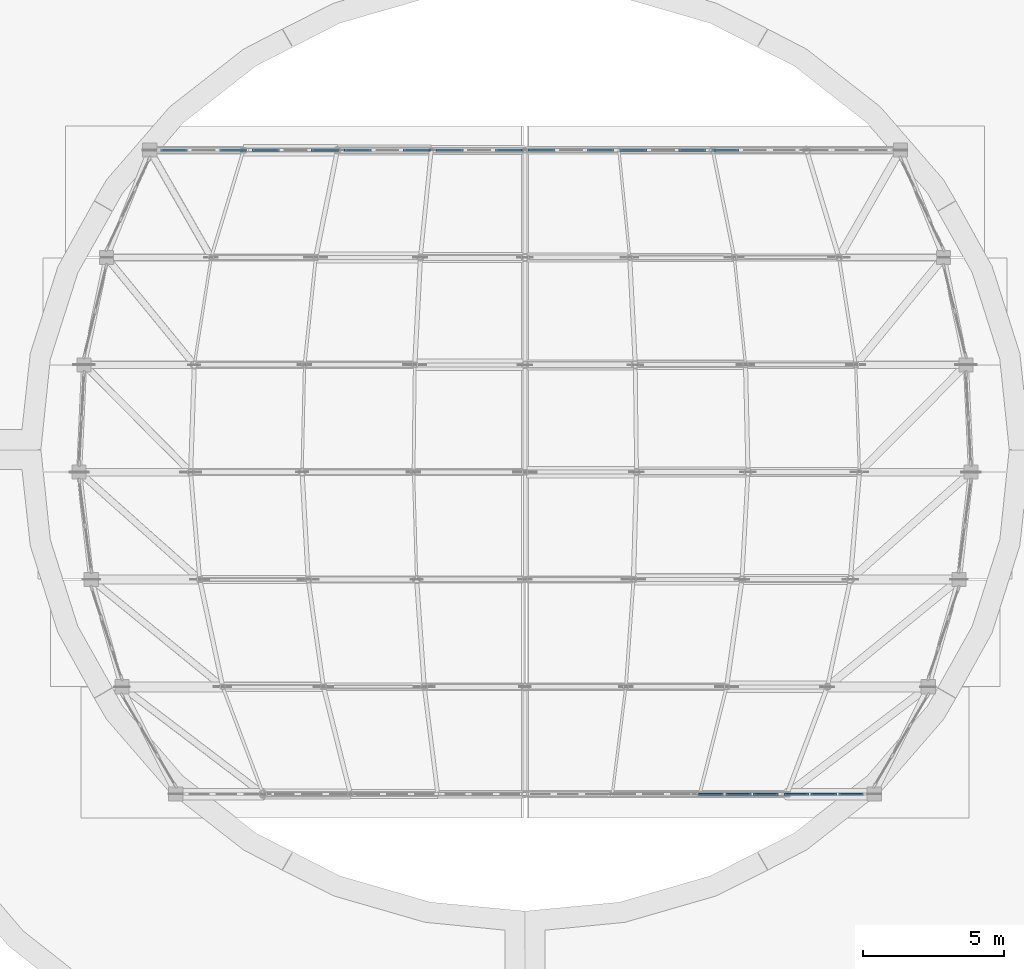
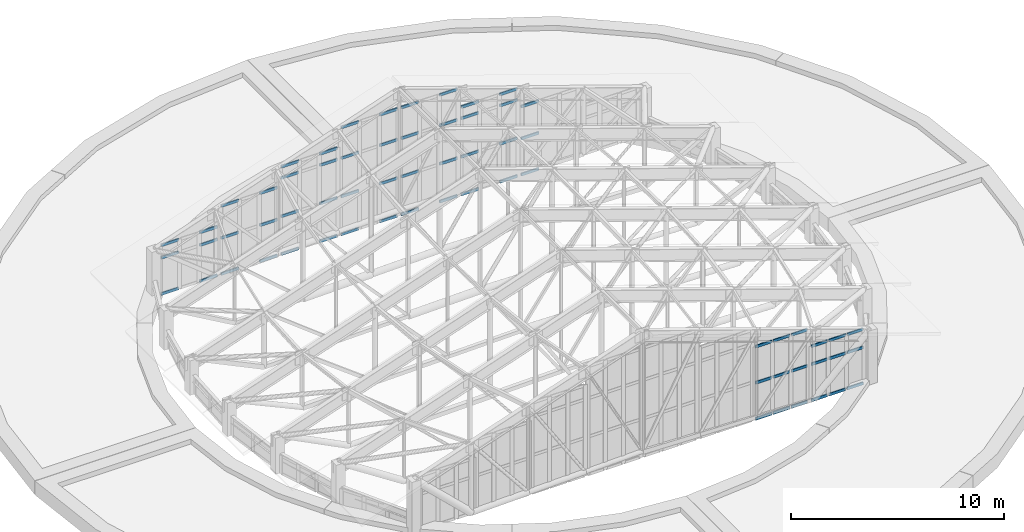
# One storey, part 53 of 105: 65 members, 9 elements without a shape of their own.
"""IFC4 building model written with IfcOpenShell, lengths in metres."""

from ifc_helpers import new_model, si_unit, direction, frame, origin, origin_2d, place, context, subcontext, project, spatial, rectangle, extrude, material, material_profile, profile_set, type_object, element, aggregate, save


model = new_model("IFC4")

# Units and contexts
model_context = context("Model", 3, precision=1e-05, world=origin(), true_north=direction((0.0, 1.0)))
body_context = subcontext(model_context, "Body", "Model", "MODEL_VIEW")
ifc_project = project(units=[si_unit("LENGTHUNIT", "METRE"), si_unit("AREAUNIT", "SQUARE_METRE"), si_unit("VOLUMEUNIT", "CUBIC_METRE"), si_unit("PLANEANGLEUNIT", "RADIAN"), si_unit("MASSUNIT", "GRAM", prefix="KILO")], contexts=[model_context])

# Site, building, storey
site_placement = place(None, origin())
site = spatial("IfcSite", under=ifc_project, at=site_placement, CompositionType="ELEMENT")
building_placement = place(site_placement, origin())
building = spatial("IfcBuilding", under=site, at=building_placement, Name="Corveleigh Park Community Centre", CompositionType="ELEMENT")
storey_placement = place(building_placement, frame((0.0, 0.0, 8.699951171875)))
storey = spatial("IfcBuildingStorey", under=building, at=storey_placement, Name="L02", CompositionType="ELEMENT", Elevation=8.699951171875)

# Curtain wall, members
ifc_material = material(Name="Anodised aluminium 6063-T6", Category="aluminium")
curtain_wall_type = type_object("IfcCurtainWallType", Name="CW-SYS-V1-DRUM", PredefinedType="NOTDEFINED", material=ifc_material)
curtain_wall_1_placement = place(storey_placement, origin())
curtain_wall_1 = element("IfcCurtainWall", 1, at=curtain_wall_1_placement, inside=storey, type_object=curtain_wall_type, Name="Main Hall S Gable Clerestory 7", PredefinedType="NOTDEFINED")
ifc_material_profile = material_profile(ifc_material, rectangle(XDim=0.070068359375, YDim=0.155029296875, at=origin_2d()), Name="ALU-T70x155", Category="aluminium")
ifc_profile_set = profile_set([ifc_material_profile], Name="Anodised aluminium 6063-T6")
member_type = type_object("IfcMemberType", Name="CWT-70x155", PredefinedType="USERDEFINED", material=ifc_profile_set)
member_1_placement = place(storey_placement, frame((37.14794921875, 15.39990234375, 0.03515625), z_axis=(1.0, 0.0, 0.0), x_axis=(0.0, 1.0, 0.0)))
member_1 = element("IfcMember", 2, at=member_1_placement, type_object=member_type, Name="CW02 transom 1.1", ObjectType="TRANSOM", PredefinedType="USERDEFINED", context=body_context, shape_type="SweptSolid", body=[
    extrude(rectangle(XDim=0.070068359375, YDim=0.155029296875, at=origin_2d()), origin(), (0.0, 0.0, 1.0), 0.87451171875),
])
member_2_placement = place(storey_placement, frame((37.14794921875, 15.39990234375, 2.10009765625), z_axis=(1.0, 0.0, 0.0), x_axis=(0.0, 1.0, 0.0)))
member_2 = element("IfcMember", 3, at=member_2_placement, type_object=member_type, Name="CW02 transom 1.2", ObjectType="TRANSOM", PredefinedType="USERDEFINED", context=body_context, shape_type="SweptSolid", body=[
    extrude(rectangle(XDim=0.070068359375, YDim=0.155029296875, at=origin_2d()), origin(), (0.0, 0.0, 1.0), 0.87451171875),
])
member_3_placement = place(storey_placement, frame((37.14794921875, 15.39990234375, 4.16796875), z_axis=(1.0, 0.0, 0.0), x_axis=(0.0, 1.0, 0.0)))
member_3 = element("IfcMember", 4, at=member_3_placement, type_object=member_type, Name="CW02 transom 1.3", ObjectType="TRANSOM", PredefinedType="USERDEFINED", context=body_context, shape_type="SweptSolid", body=[
    extrude(rectangle(XDim=0.070068359375, YDim=0.155029296875, at=origin_2d()), origin(), (0.0, 0.0, 1.0), 0.87451171875),
])
member_4_placement = place(storey_placement, frame((38.097412109375, 15.39990234375, 0.03515625), z_axis=(1.0, 0.0, 0.0), x_axis=(0.0, 1.0, 0.0)))
member_4 = element("IfcMember", 5, at=member_4_placement, type_object=member_type, Name="CW02 transom 2.1", ObjectType="TRANSOM", PredefinedType="USERDEFINED", context=body_context, shape_type="SweptSolid", body=[
    extrude(rectangle(XDim=0.070068359375, YDim=0.155029296875, at=origin_2d()), origin(), (0.0, 0.0, 1.0), 0.912109375),
])
member_5_placement = place(storey_placement, frame((38.097412109375, 15.39990234375, 2.10009765625), z_axis=(1.0, 0.0, 0.0), x_axis=(0.0, 1.0, 0.0)))
member_5 = element("IfcMember", 6, at=member_5_placement, type_object=member_type, Name="CW02 transom 2.2", ObjectType="TRANSOM", PredefinedType="USERDEFINED", context=body_context, shape_type="SweptSolid", body=[
    extrude(rectangle(XDim=0.070068359375, YDim=0.155029296875, at=origin_2d()), origin(), (0.0, 0.0, 1.0), 0.912109375),
])
member_6_placement = place(storey_placement, frame((38.097412109375, 15.39990234375, 4.16796875), z_axis=(1.0, 0.0, 0.0), x_axis=(0.0, 1.0, 0.0)))
member_6 = element("IfcMember", 7, at=member_6_placement, type_object=member_type, Name="CW02 transom 2.3", ObjectType="TRANSOM", PredefinedType="USERDEFINED", context=body_context, shape_type="SweptSolid", body=[
    extrude(rectangle(XDim=0.070068359375, YDim=0.155029296875, at=origin_2d()), origin(), (0.0, 0.0, 1.0), 0.912109375),
])
member_7_placement = place(storey_placement, frame((39.08447265625, 15.39990234375, 0.03515625), z_axis=(1.0, 0.0, 0.0), x_axis=(0.0, 1.0, 0.0)))
member_7 = element("IfcMember", 8, at=member_7_placement, type_object=member_type, Name="CW02 transom 3.1", ObjectType="TRANSOM", PredefinedType="USERDEFINED", context=body_context, shape_type="SweptSolid", body=[
    extrude(rectangle(XDim=0.070068359375, YDim=0.155029296875, at=origin_2d()), origin(), (0.0, 0.0, 1.0), 0.87451171875),
])
member_8_placement = place(storey_placement, frame((39.08447265625, 15.39990234375, 2.10009765625), z_axis=(1.0, 0.0, 0.0), x_axis=(0.0, 1.0, 0.0)))
member_8 = element("IfcMember", 9, at=member_8_placement, type_object=member_type, Name="CW02 transom 3.2", ObjectType="TRANSOM", PredefinedType="USERDEFINED", context=body_context, shape_type="SweptSolid", body=[
    extrude(rectangle(XDim=0.070068359375, YDim=0.155029296875, at=origin_2d()), origin(), (0.0, 0.0, 1.0), 0.87451171875),
])
member_9_placement = place(storey_placement, frame((39.08447265625, 15.39990234375, 4.16796875), z_axis=(1.0, 0.0, 0.0), x_axis=(0.0, 1.0, 0.0)))
member_9 = element("IfcMember", 10, at=member_9_placement, type_object=member_type, Name="CW02 transom 3.3", ObjectType="TRANSOM", PredefinedType="USERDEFINED", context=body_context, shape_type="SweptSolid", body=[
    extrude(rectangle(XDim=0.070068359375, YDim=0.155029296875, at=origin_2d()), origin(), (0.0, 0.0, 1.0), 0.87451171875),
])
aggregate(curtain_wall_1, [member_1, member_2, member_3, member_4, member_5, member_6, member_7, member_8, member_9])

curtain_wall_2_placement = place(storey_placement, origin())
curtain_wall_2 = element("IfcCurtainWall", 11, at=curtain_wall_2_placement, inside=storey, type_object=curtain_wall_type, Name="Main Hall S Gable Clerestory 8", PredefinedType="NOTDEFINED")
member_10_placement = place(storey_placement, frame((40.1689453125, 15.39990234375, 0.03515625), z_axis=(1.0, 0.0, 0.0), x_axis=(0.0, 1.0, 0.0)))
member_10 = element("IfcMember", 12, at=member_10_placement, type_object=member_type, Name="CW02 transom 1.1", ObjectType="TRANSOM", PredefinedType="USERDEFINED", context=body_context, shape_type="SweptSolid", body=[
    extrude(rectangle(XDim=0.070068359375, YDim=0.155029296875, at=origin_2d()), origin(), (0.0, 0.0, 1.0), 0.875),
])
member_11_placement = place(storey_placement, frame((40.1689453125, 15.39990234375, 2.10009765625), z_axis=(1.0, 0.0, 0.0), x_axis=(0.0, 1.0, 0.0)))
member_11 = element("IfcMember", 13, at=member_11_placement, type_object=member_type, Name="CW02 transom 1.2", ObjectType="TRANSOM", PredefinedType="USERDEFINED", context=body_context, shape_type="SweptSolid", body=[
    extrude(rectangle(XDim=0.070068359375, YDim=0.155029296875, at=origin_2d()), origin(), (0.0, 0.0, 1.0), 0.875),
])
member_12_placement = place(storey_placement, frame((40.1689453125, 15.39990234375, 3.135986328125), z_axis=(1.0, 0.0, 0.0), x_axis=(0.0, 1.0, 0.0)))
member_12 = element("IfcMember", 14, at=member_12_placement, type_object=member_type, Name="CW02 transom 1.3", ObjectType="TRANSOM", PredefinedType="USERDEFINED", context=body_context, shape_type="SweptSolid", body=[
    extrude(rectangle(XDim=0.070068359375, YDim=0.155029296875, at=origin_2d()), origin(), (0.0, 0.0, 1.0), 0.875),
])
member_13_placement = place(storey_placement, frame((41.118896484375, 15.39990234375, 0.03515625), z_axis=(1.0, 0.0, 0.0), x_axis=(0.0, 1.0, 0.0)))
member_13 = element("IfcMember", 15, at=member_13_placement, type_object=member_type, Name="CW02 transom 2.1", ObjectType="TRANSOM", PredefinedType="USERDEFINED", context=body_context, shape_type="SweptSolid", body=[
    extrude(rectangle(XDim=0.070068359375, YDim=0.155029296875, at=origin_2d()), origin(), (0.0, 0.0, 1.0), 0.912353515625),
])
member_14_placement = place(storey_placement, frame((41.118896484375, 15.39990234375, 2.10009765625), z_axis=(1.0, 0.0, 0.0), x_axis=(0.0, 1.0, 0.0)))
member_14 = element("IfcMember", 16, at=member_14_placement, type_object=member_type, Name="CW02 transom 2.2", ObjectType="TRANSOM", PredefinedType="USERDEFINED", context=body_context, shape_type="SweptSolid", body=[
    extrude(rectangle(XDim=0.070068359375, YDim=0.155029296875, at=origin_2d()), origin(), (0.0, 0.0, 1.0), 0.912353515625),
])
member_15_placement = place(storey_placement, frame((41.118896484375, 15.39990234375, 3.135986328125), z_axis=(1.0, 0.0, 0.0), x_axis=(0.0, 1.0, 0.0)))
member_15 = element("IfcMember", 17, at=member_15_placement, type_object=member_type, Name="CW02 transom 2.3", ObjectType="TRANSOM", PredefinedType="USERDEFINED", context=body_context, shape_type="SweptSolid", body=[
    extrude(rectangle(XDim=0.070068359375, YDim=0.155029296875, at=origin_2d()), origin(), (0.0, 0.0, 1.0), 0.912353515625),
])
member_16_placement = place(storey_placement, frame((42.106201171875, 15.39990234375, 0.03515625), z_axis=(1.0, 0.0, 0.0), x_axis=(0.0, 1.0, 0.0)))
member_16 = element("IfcMember", 18, at=member_16_placement, type_object=member_type, Name="CW02 transom 3.1", ObjectType="TRANSOM", PredefinedType="USERDEFINED", context=body_context, shape_type="SweptSolid", body=[
    extrude(rectangle(XDim=0.070068359375, YDim=0.155029296875, at=origin_2d()), origin(), (0.0, 0.0, 1.0), 0.874755859375),
])
member_17_placement = place(storey_placement, frame((42.106201171875, 15.39990234375, 2.10009765625), z_axis=(1.0, 0.0, 0.0), x_axis=(0.0, 1.0, 0.0)))
member_17 = element("IfcMember", 19, at=member_17_placement, type_object=member_type, Name="CW02 transom 3.2", ObjectType="TRANSOM", PredefinedType="USERDEFINED", context=body_context, shape_type="SweptSolid", body=[
    extrude(rectangle(XDim=0.070068359375, YDim=0.155029296875, at=origin_2d()), origin(), (0.0, 0.0, 1.0), 0.874755859375),
])
member_18_placement = place(storey_placement, frame((42.106201171875, 15.39990234375, 3.135986328125), z_axis=(1.0, 0.0, 0.0), x_axis=(0.0, 1.0, 0.0)))
member_18 = element("IfcMember", 20, at=member_18_placement, type_object=member_type, Name="CW02 transom 3.3", ObjectType="TRANSOM", PredefinedType="USERDEFINED", context=body_context, shape_type="SweptSolid", body=[
    extrude(rectangle(XDim=0.070068359375, YDim=0.155029296875, at=origin_2d()), origin(), (0.0, 0.0, 1.0), 0.874755859375),
])
aggregate(curtain_wall_2, [member_10, member_11, member_12, member_13, member_14, member_15, member_16, member_17, member_18])

curtain_wall_3_placement = place(storey_placement, origin())
curtain_wall_3 = element("IfcCurtainWall", 21, at=curtain_wall_3_placement, inside=storey, type_object=curtain_wall_type, Name="Main Hall N Gable Clerestory 1", PredefinedType="NOTDEFINED")
member_19_placement = place(storey_placement, frame((21.136962890625, 38.199951171875, 0.03515625), z_axis=(-1.0, 0.0, 0.0), x_axis=(0.0, -1.0, 0.0)))
member_19 = element("IfcMember", 22, at=member_19_placement, type_object=member_type, Name="CW02 transom 1.1", ObjectType="TRANSOM", PredefinedType="USERDEFINED", context=body_context, shape_type="SweptSolid", body=[
    extrude(rectangle(XDim=0.070068359375, YDim=0.155029296875, at=origin_2d()), origin(), (0.0, 0.0, 1.0), 0.951416015625),
])
member_20_placement = place(storey_placement, frame((21.136962890625, 38.199951171875, 2.10009765625), z_axis=(-1.0, 0.0, 0.0), x_axis=(0.0, -1.0, 0.0)))
member_20 = element("IfcMember", 23, at=member_20_placement, type_object=member_type, Name="CW02 transom 1.2", ObjectType="TRANSOM", PredefinedType="USERDEFINED", context=body_context, shape_type="SweptSolid", body=[
    extrude(rectangle(XDim=0.070068359375, YDim=0.155029296875, at=origin_2d()), origin(), (0.0, 0.0, 1.0), 0.951416015625),
])
member_21_placement = place(storey_placement, frame((21.136962890625, 38.199951171875, 2.820068359375), z_axis=(-1.0, 0.0, 0.0), x_axis=(0.0, -1.0, 0.0)))
member_21 = element("IfcMember", 24, at=member_21_placement, type_object=member_type, Name="CW02 transom 1.3", ObjectType="TRANSOM", PredefinedType="USERDEFINED", context=body_context, shape_type="SweptSolid", body=[
    extrude(rectangle(XDim=0.070068359375, YDim=0.155029296875, at=origin_2d()), origin(), (0.0, 0.0, 1.0), 0.951416015625),
])
member_22_placement = place(storey_placement, frame((19.04638671875, 38.199951171875, 0.03515625), z_axis=(-1.0, 0.0, 0.0), x_axis=(0.0, -1.0, 0.0)))
member_22 = element("IfcMember", 25, at=member_22_placement, type_object=member_type, Name="CW02 transom 3.1", ObjectType="TRANSOM", PredefinedType="USERDEFINED", context=body_context, shape_type="SweptSolid", body=[
    extrude(rectangle(XDim=0.070068359375, YDim=0.155029296875, at=origin_2d()), origin(), (0.0, 0.0, 1.0), 0.951416015625),
])
member_23_placement = place(storey_placement, frame((19.04638671875, 38.199951171875, 2.10009765625), z_axis=(-1.0, 0.0, 0.0), x_axis=(0.0, -1.0, 0.0)))
member_23 = element("IfcMember", 26, at=member_23_placement, type_object=member_type, Name="CW02 transom 3.2", ObjectType="TRANSOM", PredefinedType="USERDEFINED", context=body_context, shape_type="SweptSolid", body=[
    extrude(rectangle(XDim=0.070068359375, YDim=0.155029296875, at=origin_2d()), origin(), (0.0, 0.0, 1.0), 0.951416015625),
])
member_24_placement = place(storey_placement, frame((19.04638671875, 38.199951171875, 2.820068359375), z_axis=(-1.0, 0.0, 0.0), x_axis=(0.0, -1.0, 0.0)))
member_24 = element("IfcMember", 27, at=member_24_placement, type_object=member_type, Name="CW02 transom 3.3", ObjectType="TRANSOM", PredefinedType="USERDEFINED", context=body_context, shape_type="SweptSolid", body=[
    extrude(rectangle(XDim=0.070068359375, YDim=0.155029296875, at=origin_2d()), origin(), (0.0, 0.0, 1.0), 0.951416015625),
])
aggregate(curtain_wall_3, [member_19, member_20, member_21, member_22, member_23, member_24])

curtain_wall_4_placement = place(storey_placement, origin())
curtain_wall_4 = element("IfcCurtainWall", 28, at=curtain_wall_4_placement, inside=storey, type_object=curtain_wall_type, Name="Main Hall N Gable Clerestory 2", PredefinedType="NOTDEFINED")
member_25_placement = place(storey_placement, frame((24.389892578125, 38.199951171875, 0.03515625), z_axis=(-1.0, 0.0, 0.0), x_axis=(0.0, -1.0, 0.0)))
member_25 = element("IfcMember", 29, at=member_25_placement, type_object=member_type, Name="CW02 transom 1.1", ObjectType="TRANSOM", PredefinedType="USERDEFINED", context=body_context, shape_type="SweptSolid", body=[
    extrude(rectangle(XDim=0.070068359375, YDim=0.155029296875, at=origin_2d()), origin(), (0.0, 0.0, 1.0), 0.951416015625),
])
member_26_placement = place(storey_placement, frame((24.389892578125, 38.199951171875, 2.10009765625), z_axis=(-1.0, 0.0, 0.0), x_axis=(0.0, -1.0, 0.0)))
member_26 = element("IfcMember", 30, at=member_26_placement, type_object=member_type, Name="CW02 transom 1.2", ObjectType="TRANSOM", PredefinedType="USERDEFINED", context=body_context, shape_type="SweptSolid", body=[
    extrude(rectangle(XDim=0.070068359375, YDim=0.155029296875, at=origin_2d()), origin(), (0.0, 0.0, 1.0), 0.951416015625),
])
member_27_placement = place(storey_placement, frame((24.389892578125, 38.199951171875, 3.93212890625), z_axis=(-1.0, 0.0, 0.0), x_axis=(0.0, -1.0, 0.0)))
member_27 = element("IfcMember", 31, at=member_27_placement, type_object=member_type, Name="CW02 transom 1.3", ObjectType="TRANSOM", PredefinedType="USERDEFINED", context=body_context, shape_type="SweptSolid", body=[
    extrude(rectangle(XDim=0.070068359375, YDim=0.155029296875, at=origin_2d()), origin(), (0.0, 0.0, 1.0), 0.951416015625),
])
member_28_placement = place(storey_placement, frame((22.299560546875, 38.199951171875, 0.03515625), z_axis=(-1.0, 0.0, 0.0), x_axis=(0.0, -1.0, 0.0)))
member_28 = element("IfcMember", 32, at=member_28_placement, type_object=member_type, Name="CW02 transom 3.1", ObjectType="TRANSOM", PredefinedType="USERDEFINED", context=body_context, shape_type="SweptSolid", body=[
    extrude(rectangle(XDim=0.070068359375, YDim=0.155029296875, at=origin_2d()), origin(), (0.0, 0.0, 1.0), 0.95166015625),
])
member_29_placement = place(storey_placement, frame((22.299560546875, 38.199951171875, 2.10009765625), z_axis=(-1.0, 0.0, 0.0), x_axis=(0.0, -1.0, 0.0)))
member_29 = element("IfcMember", 33, at=member_29_placement, type_object=member_type, Name="CW02 transom 3.2", ObjectType="TRANSOM", PredefinedType="USERDEFINED", context=body_context, shape_type="SweptSolid", body=[
    extrude(rectangle(XDim=0.070068359375, YDim=0.155029296875, at=origin_2d()), origin(), (0.0, 0.0, 1.0), 0.95166015625),
])
member_30_placement = place(storey_placement, frame((22.299560546875, 38.199951171875, 3.93212890625), z_axis=(-1.0, 0.0, 0.0), x_axis=(0.0, -1.0, 0.0)))
member_30 = element("IfcMember", 34, at=member_30_placement, type_object=member_type, Name="CW02 transom 3.3", ObjectType="TRANSOM", PredefinedType="USERDEFINED", context=body_context, shape_type="SweptSolid", body=[
    extrude(rectangle(XDim=0.070068359375, YDim=0.155029296875, at=origin_2d()), origin(), (0.0, 0.0, 1.0), 0.95166015625),
])
aggregate(curtain_wall_4, [member_25, member_26, member_27, member_28, member_29, member_30])

curtain_wall_5_placement = place(storey_placement, origin())
curtain_wall_5 = element("IfcCurtainWall", 35, at=curtain_wall_5_placement, inside=storey, type_object=curtain_wall_type, Name="Main Hall N Gable Clerestory 3", PredefinedType="NOTDEFINED")
member_31_placement = place(storey_placement, frame((27.64306640625, 38.199951171875, 0.03515625), z_axis=(-1.0, 0.0, 0.0), x_axis=(0.0, -1.0, 0.0)))
member_31 = element("IfcMember", 36, at=member_31_placement, type_object=member_type, Name="CW02 transom 1.1", ObjectType="TRANSOM", PredefinedType="USERDEFINED", context=body_context, shape_type="SweptSolid", body=[
    extrude(rectangle(XDim=0.070068359375, YDim=0.155029296875, at=origin_2d()), origin(), (0.0, 0.0, 1.0), 0.951904296875),
])
member_32_placement = place(storey_placement, frame((27.64306640625, 38.199951171875, 2.199951171875), z_axis=(-1.0, 0.0, 0.0), x_axis=(0.0, -1.0, 0.0)))
member_32 = element("IfcMember", 37, at=member_32_placement, type_object=member_type, Name="CW02 transom 1.2", ObjectType="TRANSOM", PredefinedType="USERDEFINED", context=body_context, shape_type="SweptSolid", body=[
    extrude(rectangle(XDim=0.070068359375, YDim=0.155029296875, at=origin_2d()), origin(), (0.0, 0.0, 1.0), 0.951904296875),
])
member_33_placement = place(storey_placement, frame((27.64306640625, 38.199951171875, 4.400146484375), z_axis=(-1.0, 0.0, 0.0), x_axis=(0.0, -1.0, 0.0)))
member_33 = element("IfcMember", 38, at=member_33_placement, type_object=member_type, Name="CW02 transom 1.3", ObjectType="TRANSOM", PredefinedType="USERDEFINED", context=body_context, shape_type="SweptSolid", body=[
    extrude(rectangle(XDim=0.070068359375, YDim=0.155029296875, at=origin_2d()), origin(), (0.0, 0.0, 1.0), 0.951904296875),
])
member_34_placement = place(storey_placement, frame((27.64306640625, 38.199951171875, 5.04296875), z_axis=(-1.0, 0.0, 0.0), x_axis=(0.0, -1.0, 0.0)))
member_34 = element("IfcMember", 39, at=member_34_placement, type_object=member_type, Name="CW02 transom 1.4", ObjectType="TRANSOM", PredefinedType="USERDEFINED", context=body_context, shape_type="SweptSolid", body=[
    extrude(rectangle(XDim=0.070068359375, YDim=0.155029296875, at=origin_2d()), origin(), (0.0, 0.0, 1.0), 0.951904296875),
])
member_35_placement = place(storey_placement, frame((25.5517578125, 38.199951171875, 0.03515625), z_axis=(-1.0, 0.0, 0.0), x_axis=(0.0, -1.0, 0.0)))
member_35 = element("IfcMember", 40, at=member_35_placement, type_object=member_type, Name="CW02 transom 3.1", ObjectType="TRANSOM", PredefinedType="USERDEFINED", context=body_context, shape_type="SweptSolid", body=[
    extrude(rectangle(XDim=0.070068359375, YDim=0.155029296875, at=origin_2d()), origin(), (0.0, 0.0, 1.0), 0.95166015625),
])
member_36_placement = place(storey_placement, frame((25.5517578125, 38.199951171875, 2.199951171875), z_axis=(-1.0, 0.0, 0.0), x_axis=(0.0, -1.0, 0.0)))
member_36 = element("IfcMember", 41, at=member_36_placement, type_object=member_type, Name="CW02 transom 3.2", ObjectType="TRANSOM", PredefinedType="USERDEFINED", context=body_context, shape_type="SweptSolid", body=[
    extrude(rectangle(XDim=0.070068359375, YDim=0.155029296875, at=origin_2d()), origin(), (0.0, 0.0, 1.0), 0.95166015625),
])
member_37_placement = place(storey_placement, frame((25.5517578125, 38.199951171875, 4.400146484375), z_axis=(-1.0, 0.0, 0.0), x_axis=(0.0, -1.0, 0.0)))
member_37 = element("IfcMember", 42, at=member_37_placement, type_object=member_type, Name="CW02 transom 3.3", ObjectType="TRANSOM", PredefinedType="USERDEFINED", context=body_context, shape_type="SweptSolid", body=[
    extrude(rectangle(XDim=0.070068359375, YDim=0.155029296875, at=origin_2d()), origin(), (0.0, 0.0, 1.0), 0.95166015625),
])
member_38_placement = place(storey_placement, frame((25.5517578125, 38.199951171875, 5.04296875), z_axis=(-1.0, 0.0, 0.0), x_axis=(0.0, -1.0, 0.0)))
member_38 = element("IfcMember", 43, at=member_38_placement, type_object=member_type, Name="CW02 transom 3.4", ObjectType="TRANSOM", PredefinedType="USERDEFINED", context=body_context, shape_type="SweptSolid", body=[
    extrude(rectangle(XDim=0.070068359375, YDim=0.155029296875, at=origin_2d()), origin(), (0.0, 0.0, 1.0), 0.95166015625),
])
aggregate(curtain_wall_5, [member_31, member_32, member_33, member_34, member_35, member_36, member_37, member_38])

curtain_wall_6_placement = place(storey_placement, origin())
curtain_wall_6 = element("IfcCurtainWall", 44, at=curtain_wall_6_placement, inside=storey, type_object=curtain_wall_type, Name="Main Hall N Gable Clerestory 4", PredefinedType="NOTDEFINED")
member_39_placement = place(storey_placement, frame((30.89501953125, 38.199951171875, 0.03515625), z_axis=(-1.0, 0.0, 0.0), x_axis=(0.0, -1.0, 0.0)))
member_39 = element("IfcMember", 45, at=member_39_placement, type_object=member_type, Name="CW02 transom 1.1", ObjectType="TRANSOM", PredefinedType="USERDEFINED", context=body_context, shape_type="SweptSolid", body=[
    extrude(rectangle(XDim=0.070068359375, YDim=0.155029296875, at=origin_2d()), origin(), (0.0, 0.0, 1.0), 0.951416015625),
])
member_40_placement = place(storey_placement, frame((30.89501953125, 38.199951171875, 2.199951171875), z_axis=(-1.0, 0.0, 0.0), x_axis=(0.0, -1.0, 0.0)))
member_40 = element("IfcMember", 46, at=member_40_placement, type_object=member_type, Name="CW02 transom 1.2", ObjectType="TRANSOM", PredefinedType="USERDEFINED", context=body_context, shape_type="SweptSolid", body=[
    extrude(rectangle(XDim=0.070068359375, YDim=0.155029296875, at=origin_2d()), origin(), (0.0, 0.0, 1.0), 0.951416015625),
])
member_41_placement = place(storey_placement, frame((30.89501953125, 38.199951171875, 4.400146484375), z_axis=(-1.0, 0.0, 0.0), x_axis=(0.0, -1.0, 0.0)))
member_41 = element("IfcMember", 47, at=member_41_placement, type_object=member_type, Name="CW02 transom 1.3", ObjectType="TRANSOM", PredefinedType="USERDEFINED", context=body_context, shape_type="SweptSolid", body=[
    extrude(rectangle(XDim=0.070068359375, YDim=0.155029296875, at=origin_2d()), origin(), (0.0, 0.0, 1.0), 0.951416015625),
])
member_42_placement = place(storey_placement, frame((30.89501953125, 38.199951171875, 6.154052734375), z_axis=(-1.0, 0.0, 0.0), x_axis=(0.0, -1.0, 0.0)))
member_42 = element("IfcMember", 48, at=member_42_placement, type_object=member_type, Name="CW02 transom 1.4", ObjectType="TRANSOM", PredefinedType="USERDEFINED", context=body_context, shape_type="SweptSolid", body=[
    extrude(rectangle(XDim=0.070068359375, YDim=0.155029296875, at=origin_2d()), origin(), (0.0, 0.0, 1.0), 0.951416015625),
])
member_43_placement = place(storey_placement, frame((28.804443359375, 38.199951171875, 0.03515625), z_axis=(-1.0, 0.0, 0.0), x_axis=(0.0, -1.0, 0.0)))
member_43 = element("IfcMember", 49, at=member_43_placement, type_object=member_type, Name="CW02 transom 3.1", ObjectType="TRANSOM", PredefinedType="USERDEFINED", context=body_context, shape_type="SweptSolid", body=[
    extrude(rectangle(XDim=0.070068359375, YDim=0.155029296875, at=origin_2d()), origin(), (0.0, 0.0, 1.0), 0.951416015625),
])
member_44_placement = place(storey_placement, frame((28.804443359375, 38.199951171875, 2.199951171875), z_axis=(-1.0, 0.0, 0.0), x_axis=(0.0, -1.0, 0.0)))
member_44 = element("IfcMember", 50, at=member_44_placement, type_object=member_type, Name="CW02 transom 3.2", ObjectType="TRANSOM", PredefinedType="USERDEFINED", context=body_context, shape_type="SweptSolid", body=[
    extrude(rectangle(XDim=0.070068359375, YDim=0.155029296875, at=origin_2d()), origin(), (0.0, 0.0, 1.0), 0.951416015625),
])
member_45_placement = place(storey_placement, frame((28.804443359375, 38.199951171875, 4.400146484375), z_axis=(-1.0, 0.0, 0.0), x_axis=(0.0, -1.0, 0.0)))
member_45 = element("IfcMember", 51, at=member_45_placement, type_object=member_type, Name="CW02 transom 3.3", ObjectType="TRANSOM", PredefinedType="USERDEFINED", context=body_context, shape_type="SweptSolid", body=[
    extrude(rectangle(XDim=0.070068359375, YDim=0.155029296875, at=origin_2d()), origin(), (0.0, 0.0, 1.0), 0.951416015625),
])
member_46_placement = place(storey_placement, frame((28.804443359375, 38.199951171875, 6.154052734375), z_axis=(-1.0, 0.0, 0.0), x_axis=(0.0, -1.0, 0.0)))
member_46 = element("IfcMember", 52, at=member_46_placement, type_object=member_type, Name="CW02 transom 3.4", ObjectType="TRANSOM", PredefinedType="USERDEFINED", context=body_context, shape_type="SweptSolid", body=[
    extrude(rectangle(XDim=0.070068359375, YDim=0.155029296875, at=origin_2d()), origin(), (0.0, 0.0, 1.0), 0.951416015625),
])
aggregate(curtain_wall_6, [member_39, member_40, member_41, member_42, member_43, member_44, member_45, member_46])

curtain_wall_7_placement = place(storey_placement, origin())
curtain_wall_7 = element("IfcCurtainWall", 53, at=curtain_wall_7_placement, inside=storey, type_object=curtain_wall_type, Name="Main Hall N Gable Clerestory 5", PredefinedType="NOTDEFINED")
member_47_placement = place(storey_placement, frame((34.14697265625, 38.199951171875, 0.03515625), z_axis=(-1.0, 0.0, 0.0), x_axis=(0.0, -1.0, 0.0)))
member_47 = element("IfcMember", 54, at=member_47_placement, type_object=member_type, Name="CW02 transom 1.1", ObjectType="TRANSOM", PredefinedType="USERDEFINED", context=body_context, shape_type="SweptSolid", body=[
    extrude(rectangle(XDim=0.070068359375, YDim=0.155029296875, at=origin_2d()), origin(), (0.0, 0.0, 1.0), 0.951416015625),
])
member_48_placement = place(storey_placement, frame((34.14697265625, 38.199951171875, 2.199951171875), z_axis=(-1.0, 0.0, 0.0), x_axis=(0.0, -1.0, 0.0)))
member_48 = element("IfcMember", 55, at=member_48_placement, type_object=member_type, Name="CW02 transom 1.2", ObjectType="TRANSOM", PredefinedType="USERDEFINED", context=body_context, shape_type="SweptSolid", body=[
    extrude(rectangle(XDim=0.070068359375, YDim=0.155029296875, at=origin_2d()), origin(), (0.0, 0.0, 1.0), 0.951416015625),
])
member_49_placement = place(storey_placement, frame((34.14697265625, 38.199951171875, 4.400146484375), z_axis=(-1.0, 0.0, 0.0), x_axis=(0.0, -1.0, 0.0)))
member_49 = element("IfcMember", 56, at=member_49_placement, type_object=member_type, Name="CW02 transom 1.3", ObjectType="TRANSOM", PredefinedType="USERDEFINED", context=body_context, shape_type="SweptSolid", body=[
    extrude(rectangle(XDim=0.070068359375, YDim=0.155029296875, at=origin_2d()), origin(), (0.0, 0.0, 1.0), 0.951416015625),
])
member_50_placement = place(storey_placement, frame((34.14697265625, 38.199951171875, 6.154052734375), z_axis=(-1.0, 0.0, 0.0), x_axis=(0.0, -1.0, 0.0)))
member_50 = element("IfcMember", 57, at=member_50_placement, type_object=member_type, Name="CW02 transom 1.4", ObjectType="TRANSOM", PredefinedType="USERDEFINED", context=body_context, shape_type="SweptSolid", body=[
    extrude(rectangle(XDim=0.070068359375, YDim=0.155029296875, at=origin_2d()), origin(), (0.0, 0.0, 1.0), 0.951416015625),
])
member_51_placement = place(storey_placement, frame((32.056396484375, 38.199951171875, 0.03515625), z_axis=(-1.0, 0.0, 0.0), x_axis=(0.0, -1.0, 0.0)))
member_51 = element("IfcMember", 58, at=member_51_placement, type_object=member_type, Name="CW02 transom 3.1", ObjectType="TRANSOM", PredefinedType="USERDEFINED", context=body_context, shape_type="SweptSolid", body=[
    extrude(rectangle(XDim=0.070068359375, YDim=0.155029296875, at=origin_2d()), origin(), (0.0, 0.0, 1.0), 0.951416015625),
])
member_52_placement = place(storey_placement, frame((32.056396484375, 38.199951171875, 2.199951171875), z_axis=(-1.0, 0.0, 0.0), x_axis=(0.0, -1.0, 0.0)))
member_52 = element("IfcMember", 59, at=member_52_placement, type_object=member_type, Name="CW02 transom 3.2", ObjectType="TRANSOM", PredefinedType="USERDEFINED", context=body_context, shape_type="SweptSolid", body=[
    extrude(rectangle(XDim=0.070068359375, YDim=0.155029296875, at=origin_2d()), origin(), (0.0, 0.0, 1.0), 0.951416015625),
])
member_53_placement = place(storey_placement, frame((32.056396484375, 38.199951171875, 4.400146484375), z_axis=(-1.0, 0.0, 0.0), x_axis=(0.0, -1.0, 0.0)))
member_53 = element("IfcMember", 60, at=member_53_placement, type_object=member_type, Name="CW02 transom 3.3", ObjectType="TRANSOM", PredefinedType="USERDEFINED", context=body_context, shape_type="SweptSolid", body=[
    extrude(rectangle(XDim=0.070068359375, YDim=0.155029296875, at=origin_2d()), origin(), (0.0, 0.0, 1.0), 0.951416015625),
])
member_54_placement = place(storey_placement, frame((32.056396484375, 38.199951171875, 6.154052734375), z_axis=(-1.0, 0.0, 0.0), x_axis=(0.0, -1.0, 0.0)))
member_54 = element("IfcMember", 61, at=member_54_placement, type_object=member_type, Name="CW02 transom 3.4", ObjectType="TRANSOM", PredefinedType="USERDEFINED", context=body_context, shape_type="SweptSolid", body=[
    extrude(rectangle(XDim=0.070068359375, YDim=0.155029296875, at=origin_2d()), origin(), (0.0, 0.0, 1.0), 0.951416015625),
])
aggregate(curtain_wall_7, [member_47, member_48, member_49, member_50, member_51, member_52, member_53, member_54])

curtain_wall_8_placement = place(storey_placement, origin())
curtain_wall_8 = element("IfcCurtainWall", 62, at=curtain_wall_8_placement, inside=storey, type_object=curtain_wall_type, Name="Main Hall N Gable Clerestory 6", PredefinedType="NOTDEFINED")
member_55_placement = place(storey_placement, frame((37.39990234375, 38.199951171875, 0.03515625), z_axis=(-1.0, 0.0, 0.0), x_axis=(0.0, -1.0, 0.0)))
member_55 = element("IfcMember", 63, at=member_55_placement, type_object=member_type, Name="CW02 transom 1.1", ObjectType="TRANSOM", PredefinedType="USERDEFINED", context=body_context, shape_type="SweptSolid", body=[
    extrude(rectangle(XDim=0.070068359375, YDim=0.155029296875, at=origin_2d()), origin(), (0.0, 0.0, 1.0), 0.95166015625),
])
member_56_placement = place(storey_placement, frame((37.39990234375, 38.199951171875, 2.199951171875), z_axis=(-1.0, 0.0, 0.0), x_axis=(0.0, -1.0, 0.0)))
member_56 = element("IfcMember", 64, at=member_56_placement, type_object=member_type, Name="CW02 transom 1.2", ObjectType="TRANSOM", PredefinedType="USERDEFINED", context=body_context, shape_type="SweptSolid", body=[
    extrude(rectangle(XDim=0.070068359375, YDim=0.155029296875, at=origin_2d()), origin(), (0.0, 0.0, 1.0), 0.95166015625),
])
member_57_placement = place(storey_placement, frame((37.39990234375, 38.199951171875, 4.400146484375), z_axis=(-1.0, 0.0, 0.0), x_axis=(0.0, -1.0, 0.0)))
member_57 = element("IfcMember", 65, at=member_57_placement, type_object=member_type, Name="CW02 transom 1.3", ObjectType="TRANSOM", PredefinedType="USERDEFINED", context=body_context, shape_type="SweptSolid", body=[
    extrude(rectangle(XDim=0.070068359375, YDim=0.155029296875, at=origin_2d()), origin(), (0.0, 0.0, 1.0), 0.95166015625),
])
member_58_placement = place(storey_placement, frame((37.39990234375, 38.199951171875, 5.04296875), z_axis=(-1.0, 0.0, 0.0), x_axis=(0.0, -1.0, 0.0)))
member_58 = element("IfcMember", 66, at=member_58_placement, type_object=member_type, Name="CW02 transom 1.4", ObjectType="TRANSOM", PredefinedType="USERDEFINED", context=body_context, shape_type="SweptSolid", body=[
    extrude(rectangle(XDim=0.070068359375, YDim=0.155029296875, at=origin_2d()), origin(), (0.0, 0.0, 1.0), 0.95166015625),
])
member_59_placement = place(storey_placement, frame((35.308837890625, 38.199951171875, 0.03515625), z_axis=(-1.0, 0.0, 0.0), x_axis=(0.0, -1.0, 0.0)))
member_59 = element("IfcMember", 67, at=member_59_placement, type_object=member_type, Name="CW02 transom 3.1", ObjectType="TRANSOM", PredefinedType="USERDEFINED", context=body_context, shape_type="SweptSolid", body=[
    extrude(rectangle(XDim=0.070068359375, YDim=0.155029296875, at=origin_2d()), origin(), (0.0, 0.0, 1.0), 0.951904296875),
])
member_60_placement = place(storey_placement, frame((35.308837890625, 38.199951171875, 2.199951171875), z_axis=(-1.0, 0.0, 0.0), x_axis=(0.0, -1.0, 0.0)))
member_60 = element("IfcMember", 68, at=member_60_placement, type_object=member_type, Name="CW02 transom 3.2", ObjectType="TRANSOM", PredefinedType="USERDEFINED", context=body_context, shape_type="SweptSolid", body=[
    extrude(rectangle(XDim=0.070068359375, YDim=0.155029296875, at=origin_2d()), origin(), (0.0, 0.0, 1.0), 0.951904296875),
])
member_61_placement = place(storey_placement, frame((35.308837890625, 38.199951171875, 4.400146484375), z_axis=(-1.0, 0.0, 0.0), x_axis=(0.0, -1.0, 0.0)))
member_61 = element("IfcMember", 69, at=member_61_placement, type_object=member_type, Name="CW02 transom 3.3", ObjectType="TRANSOM", PredefinedType="USERDEFINED", context=body_context, shape_type="SweptSolid", body=[
    extrude(rectangle(XDim=0.070068359375, YDim=0.155029296875, at=origin_2d()), origin(), (0.0, 0.0, 1.0), 0.951904296875),
])
member_62_placement = place(storey_placement, frame((35.308837890625, 38.199951171875, 5.04296875), z_axis=(-1.0, 0.0, 0.0), x_axis=(0.0, -1.0, 0.0)))
member_62 = element("IfcMember", 70, at=member_62_placement, type_object=member_type, Name="CW02 transom 3.4", ObjectType="TRANSOM", PredefinedType="USERDEFINED", context=body_context, shape_type="SweptSolid", body=[
    extrude(rectangle(XDim=0.070068359375, YDim=0.155029296875, at=origin_2d()), origin(), (0.0, 0.0, 1.0), 0.951904296875),
])
aggregate(curtain_wall_8, [member_55, member_56, member_57, member_58, member_59, member_60, member_61, member_62])

curtain_wall_9_placement = place(storey_placement, origin())
curtain_wall_9 = element("IfcCurtainWall", 71, at=curtain_wall_9_placement, inside=storey, type_object=curtain_wall_type, Name="Main Hall N Gable Clerestory 7", PredefinedType="NOTDEFINED")
member_63_placement = place(storey_placement, frame((38.5615234375, 38.199951171875, 0.03515625), z_axis=(-1.0, 0.0, 0.0), x_axis=(0.0, -1.0, 0.0)))
member_63 = element("IfcMember", 72, at=member_63_placement, type_object=member_type, Name="CW02 transom 3.1", ObjectType="TRANSOM", PredefinedType="USERDEFINED", context=body_context, shape_type="SweptSolid", body=[
    extrude(rectangle(XDim=0.070068359375, YDim=0.155029296875, at=origin_2d()), origin(), (0.0, 0.0, 1.0), 0.951416015625),
])
member_64_placement = place(storey_placement, frame((38.5615234375, 38.199951171875, 2.10009765625), z_axis=(-1.0, 0.0, 0.0), x_axis=(0.0, -1.0, 0.0)))
member_64 = element("IfcMember", 73, at=member_64_placement, type_object=member_type, Name="CW02 transom 3.2", ObjectType="TRANSOM", PredefinedType="USERDEFINED", context=body_context, shape_type="SweptSolid", body=[
    extrude(rectangle(XDim=0.070068359375, YDim=0.155029296875, at=origin_2d()), origin(), (0.0, 0.0, 1.0), 0.951416015625),
])
member_65_placement = place(storey_placement, frame((38.5615234375, 38.199951171875, 3.93212890625), z_axis=(-1.0, 0.0, 0.0), x_axis=(0.0, -1.0, 0.0)))
member_65 = element("IfcMember", 74, at=member_65_placement, type_object=member_type, Name="CW02 transom 3.3", ObjectType="TRANSOM", PredefinedType="USERDEFINED", context=body_context, shape_type="SweptSolid", body=[
    extrude(rectangle(XDim=0.070068359375, YDim=0.155029296875, at=origin_2d()), origin(), (0.0, 0.0, 1.0), 0.951416015625),
])
aggregate(curtain_wall_9, [member_63, member_64, member_65])

save(model, "model.ifc")
